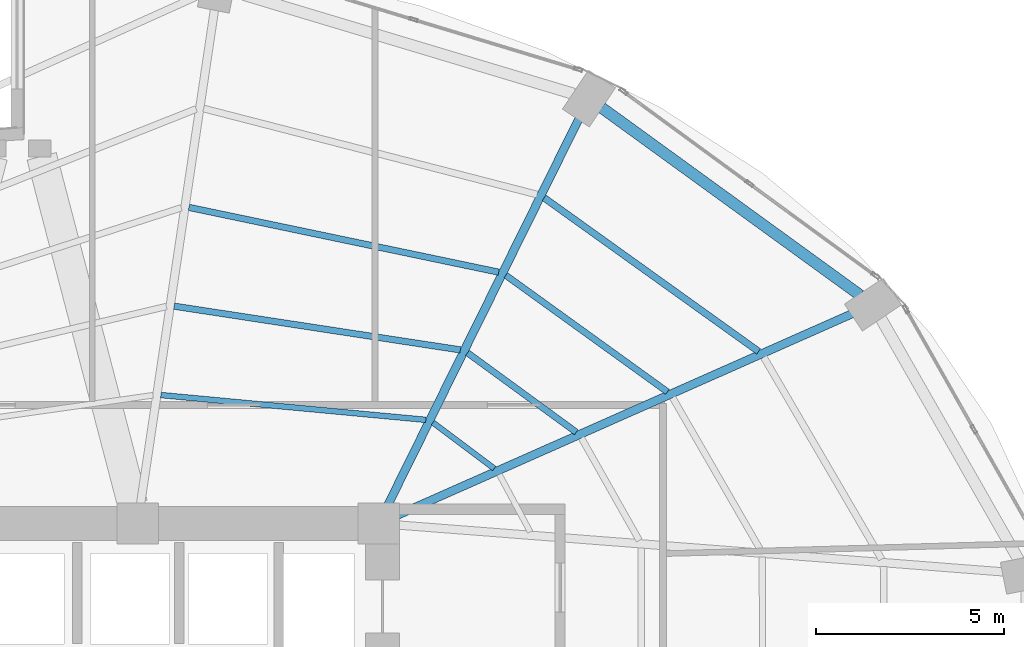
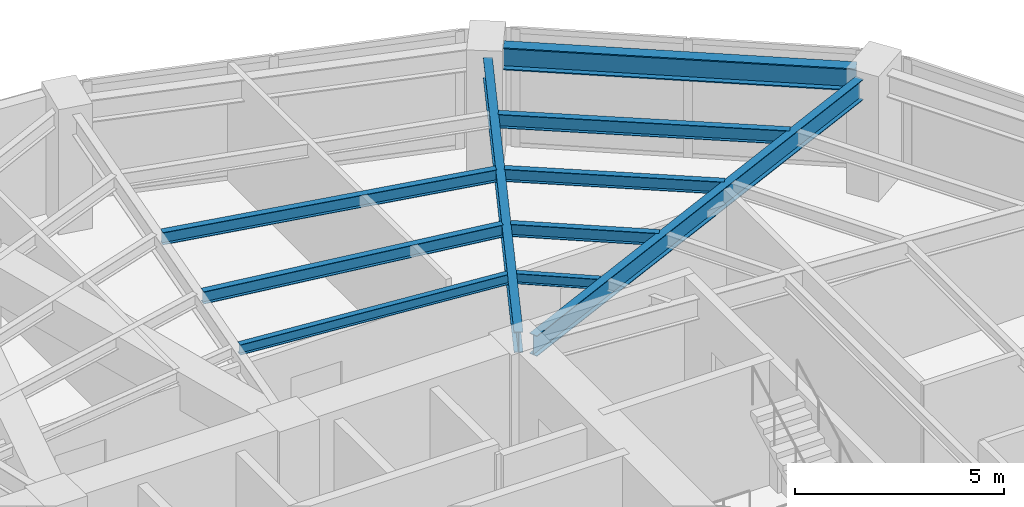
# One storey, part 16 of 24: 10 beams.
"""IFC4 building model written with IfcOpenShell, lengths in metres."""

from ifc_helpers import new_model, si_unit, direction, frame, origin, origin_2d, place, context, subcontext, project, spatial, i_section, extrude, material, material_profile, profile_set, type_object, element, save


model = new_model("IFC4")

# Units and contexts
model_context = context("Model", 3, precision=1e-05, world=origin(), true_north=direction((0.0, 1.0)))
body_context = subcontext(model_context, "Body", "Model", "MODEL_VIEW")
ifc_project = project(units=[si_unit("LENGTHUNIT", "METRE"), si_unit("AREAUNIT", "SQUARE_METRE"), si_unit("VOLUMEUNIT", "CUBIC_METRE"), si_unit("PLANEANGLEUNIT", "RADIAN"), si_unit("MASSUNIT", "GRAM", prefix="KILO")], contexts=[model_context])

# Site, building, storey
site_placement = place(None, origin())
site = spatial("IfcSite", under=ifc_project, at=site_placement, CompositionType="ELEMENT")
building_placement = place(site_placement, origin())
building = spatial("IfcBuilding", under=site, at=building_placement, Name="Lazwardi Medical Tower", CompositionType="ELEMENT")
storey_placement = place(building_placement, frame((0.0, 0.0, 68.97607421875)))
storey = spatial("IfcBuildingStorey", under=building, at=storey_placement, Name="L17", CompositionType="ELEMENT", Elevation=68.97607421875)

# Beams
ifc_material = material(Name="Steel S355", Category="steel")
ifc_material_profile_1 = material_profile(ifc_material, i_section(OverallWidth=0.300048828125, OverallDepth=0.64990234375, WebThickness=0.01611328125, FlangeThickness=0.031005859375, at=origin_2d()), Name="HEB 650")
ifc_profile_set_1 = profile_set([ifc_material_profile_1], Name="Steel S355")
beam_type_1 = type_object("IfcBeamType", Name="BM-RB-Z1", PredefinedType="BEAM", material=ifc_profile_set_1)
beam_1_placement = place(storey_placement, frame((58.3798828125, 41.660888671875, 3.10302734375), z_axis=(-0.809407079515, 0.587247971159, 0.0), x_axis=(-0.587247971159, -0.809407079515, 0.0)))
element("IfcBeam", 1, at=beam_1_placement, inside=storey, type_object=beam_type_1, Name="Ring beam RB-02 B06 L17", PredefinedType="BEAM", context=body_context, shape_type="SweptSolid", body=[
    extrude(i_section(OverallWidth=0.300048828125, OverallDepth=0.64990234375, WebThickness=0.01611328125, FlangeThickness=0.031005859375, at=origin_2d()), origin(), (0.0, 0.0, 1.0), 8.473876953125),
])
ifc_material_profile_2 = material_profile(ifc_material, i_section(OverallWidth=0.219970703125, OverallDepth=0.60009765625, WebThickness=0.011962890625, FlangeThickness=0.01904296875, at=origin_2d()), Name="IPE 600")
ifc_profile_set_2 = profile_set([ifc_material_profile_2], Name="Steel S355")
beam_type_2 = type_object("IfcBeamType", Name="BM-RG-W1", PredefinedType="BEAM", material=ifc_profile_set_2)
beam_2_placement = place(storey_placement, frame((58.189697265625, 41.17919921875, 3.1279296875), z_axis=(-0.914252189566, -0.405145571214, 0.0), x_axis=(0.405145571214, -0.914252189566, 0.0)))
element("IfcBeam", 2, at=beam_2_placement, inside=storey, type_object=beam_type_2, Name="Radial girder RG-02 R06 L17", PredefinedType="BEAM", context=body_context, shape_type="SweptSolid", body=[
    extrude(i_section(OverallWidth=0.219970703125, OverallDepth=0.60009765625, WebThickness=0.011962890625, FlangeThickness=0.01904296875, at=origin_2d()), origin(), (0.0, 0.0, 1.0), 13.235595703125),
])
beam_3_placement = place(storey_placement, frame((50.923828125, 46.364013671875, 3.1279296875), z_axis=(-0.443336723706, -0.896355146922, 0.0), x_axis=(0.896355146922, -0.443336723706, 0.0)))
element("IfcBeam", 3, at=beam_3_placement, inside=storey, type_object=beam_type_2, Name="Radial girder RG-02 R07 L17", PredefinedType="BEAM", context=body_context, shape_type="SweptSolid", body=[
    extrude(i_section(OverallWidth=0.219970703125, OverallDepth=0.60009765625, WebThickness=0.011962890625, FlangeThickness=0.01904296875, at=origin_2d()), origin(), (0.0, 0.0, 1.0), 11.4736328125),
])
ifc_material_profile_3 = material_profile(ifc_material, i_section(OverallWidth=0.179931640625, OverallDepth=0.39990234375, WebThickness=0.008544921875, FlangeThickness=0.013427734375, at=origin_2d()), Name="IPE 400")
ifc_profile_set_3 = profile_set([ifc_material_profile_3], Name="Steel S355")
beam_type_3 = type_object("IfcBeamType", Name="BM-SJ-01", PredefinedType="JOIST", material=ifc_profile_set_3)
beam_4_placement = place(storey_placement, frame((55.68408203125, 40.16796875, 3.22802734375), z_axis=(-0.812901036873, 0.582401840872, 0.0), x_axis=(-0.582401840872, -0.812901036873, 0.0)))
element("IfcBeam", 4, at=beam_4_placement, inside=storey, type_object=beam_type_3, Name="Secondary joist SJ-01 R1 B06 L17", PredefinedType="JOIST", context=body_context, shape_type="SweptSolid", body=[
    extrude(i_section(OverallWidth=0.179931640625, OverallDepth=0.39990234375, WebThickness=0.008544921875, FlangeThickness=0.013427734375, at=origin_2d()), origin(), (0.0, 0.0, 1.0), 7.002197265625),
])
ifc_material_profile_4 = material_profile(ifc_material, i_section(OverallWidth=0.169921875, OverallDepth=0.360107421875, WebThickness=0.008056640625, FlangeThickness=0.0126953125, at=origin_2d()), Name="IPE 360")
ifc_profile_set_4 = profile_set([ifc_material_profile_4], Name="Steel S355")
beam_type_4 = type_object("IfcBeamType", Name="BM-SJ-02", PredefinedType="JOIST", material=ifc_profile_set_4)
beam_5_placement = place(storey_placement, frame((53.26416015625, 39.095703125, 3.248046875), z_axis=(-0.811142764961, 0.584848198127, 0.0), x_axis=(-0.584848198127, -0.811142764961, 0.0)))
element("IfcBeam", 5, at=beam_5_placement, inside=storey, type_object=beam_type_4, Name="Secondary joist SJ-02 R2 B06 L17", PredefinedType="JOIST", context=body_context, shape_type="SweptSolid", body=[
    extrude(i_section(OverallWidth=0.169921875, OverallDepth=0.360107421875, WebThickness=0.008056640625, FlangeThickness=0.0126953125, at=origin_2d()), origin(), (0.0, 0.0, 1.0), 5.28857421875),
])
beam_6_placement = place(storey_placement, frame((48.786376953125, 42.271728515625, 3.248046875), z_axis=(-0.978809182847, 0.204774470026, 0.0), x_axis=(-0.204774470026, -0.978809182847, 0.0)))
element("IfcBeam", 6, at=beam_6_placement, inside=storey, type_object=beam_type_4, Name="Secondary joist SJ-02 R2 B07 L17", PredefinedType="JOIST", context=body_context, shape_type="SweptSolid", body=[
    extrude(i_section(OverallWidth=0.169921875, OverallDepth=0.360107421875, WebThickness=0.008056640625, FlangeThickness=0.0126953125, at=origin_2d()), origin(), (0.0, 0.0, 1.0), 8.40283203125),
])
beam_7_placement = place(storey_placement, frame((50.844482421875, 38.023681640625, 3.248046875), z_axis=(-0.80770129933, 0.589591902132, 0.0), x_axis=(-0.589591902132, -0.80770129933, 0.0)))
element("IfcBeam", 7, at=beam_7_placement, inside=storey, type_object=beam_type_4, Name="Secondary joist SJ-02 R3 B06 L17", PredefinedType="JOIST", context=body_context, shape_type="SweptSolid", body=[
    extrude(i_section(OverallWidth=0.169921875, OverallDepth=0.360107421875, WebThickness=0.008056640625, FlangeThickness=0.0126953125, at=origin_2d()), origin(), (0.0, 0.0, 1.0), 3.5751953125),
])
beam_8_placement = place(storey_placement, frame((47.76806640625, 40.209228515625, 3.248046875), z_axis=(-0.988535611365, 0.150987897074, 0.0), x_axis=(-0.150987897074, -0.988535611365, 0.0)))
element("IfcBeam", 8, at=beam_8_placement, inside=storey, type_object=beam_type_4, Name="Secondary joist SJ-02 R3 B07 L17", PredefinedType="JOIST", context=body_context, shape_type="SweptSolid", body=[
    extrude(i_section(OverallWidth=0.169921875, OverallDepth=0.360107421875, WebThickness=0.008056640625, FlangeThickness=0.0126953125, at=origin_2d()), origin(), (0.0, 0.0, 1.0), 7.68701171875),
])
ifc_material_profile_5 = material_profile(ifc_material, i_section(OverallWidth=0.14990234375, OverallDepth=0.300048828125, WebThickness=0.007080078125, FlangeThickness=0.0107421875, at=origin_2d()), Name="IPE 300")
ifc_profile_set_5 = profile_set([ifc_material_profile_5], Name="Steel S355")
beam_type_5 = type_object("IfcBeamType", Name="BM-SJ-03", PredefinedType="JOIST", material=ifc_profile_set_5)
beam_9_placement = place(storey_placement, frame((48.667236328125, 37.0595703125, 3.27783203125), z_axis=(-0.800115247939, 0.599846305328, 0.0), x_axis=(-0.599846305328, -0.800115247939, 0.0)))
element("IfcBeam", 9, at=beam_9_placement, inside=storey, type_object=beam_type_5, Name="Secondary joist SJ-03 R4 B06 L17", PredefinedType="JOIST", context=body_context, shape_type="SweptSolid", body=[
    extrude(i_section(OverallWidth=0.14990234375, OverallDepth=0.300048828125, WebThickness=0.007080078125, FlangeThickness=0.0107421875, at=origin_2d()), origin(), (0.0, 0.0, 1.0), 2.033447265625),
])
beam_10_placement = place(storey_placement, frame((46.851806640625, 38.35205078125, 3.27783203125), z_axis=(-0.995649263748, 0.093180167407, 0.0), x_axis=(-0.093180167407, -0.995649263748, 0.0)))
element("IfcBeam", 10, at=beam_10_placement, inside=storey, type_object=beam_type_5, Name="Secondary joist SJ-03 R4 B07 L17", PredefinedType="JOIST", context=body_context, shape_type="SweptSolid", body=[
    extrude(i_section(OverallWidth=0.14990234375, OverallDepth=0.300048828125, WebThickness=0.007080078125, FlangeThickness=0.0107421875, at=origin_2d()), origin(), (0.0, 0.0, 1.0), 7.06640625),
])

save(model, "model.ifc")
